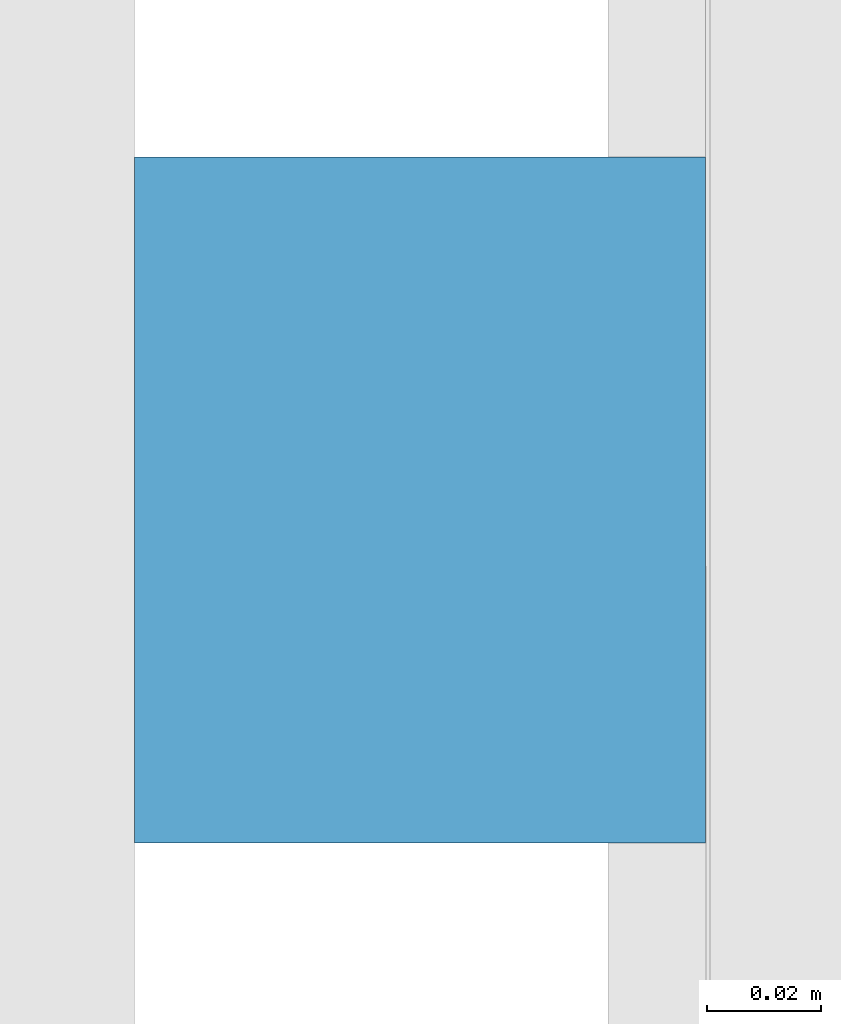
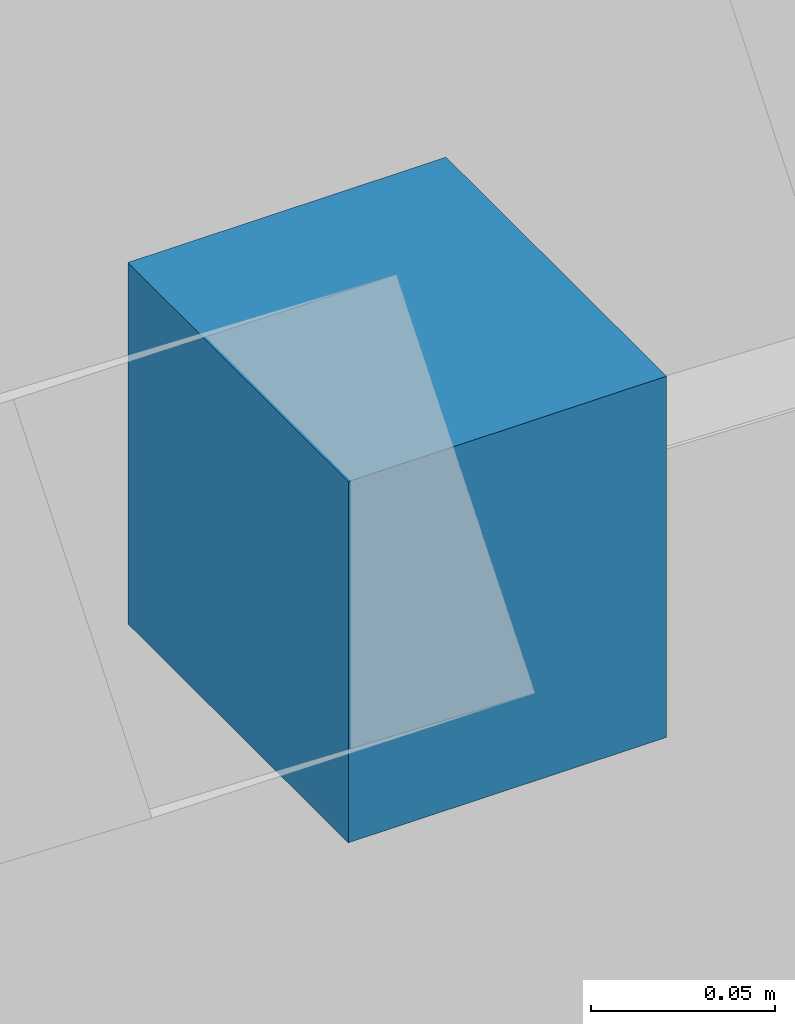
# One storey, part 24 of 27: 1 discrete accessory.
"""IFC4 building model written with IfcOpenShell, lengths in metres."""

import ifcopenshell
import ifcopenshell.guid

model = None  # the IFC model being written
_history = None  # IfcOwnerHistory: only IFC2X3 demands one
_inside = {}  # id of a spatial element -> (the spatial element, [elements in it])
_under = {}  # id of a project, library or spatial element -> (it, [spatial elements below it])
_declared = {}  # id of a project -> (the project, [libraries it declares])
_typed = {}  # id of a type object -> (the type object, [elements of that type])
_made_of = {}  # id of a material, layer set ... -> (it, [elements and type objects made of it])


def new_model(schema):
    """Start an empty IFC model of exactly this schema.

    Asked for "IFC4X3", IfcOpenShell would pick the latest addendum, in which some entities
    have other attributes; the version numbers below select the first issue.
    IFC2X3 requires an IfcOwnerHistory on every rooted entity: one is made here for all.
    """
    global model, _history
    if schema == "IFC4X3":
        model = ifcopenshell.file(schema_version=(4, 3, 0, 0))
    else:
        model = ifcopenshell.file(schema=schema)
    _inside.clear()
    _under.clear()
    _declared.clear()
    _typed.clear()
    _made_of.clear()
    _history = None
    if model.schema == "IFC2X3":
        org = make("IfcOrganization", Name="unknown")
        user = make(
            "IfcPersonAndOrganization",
            ThePerson=make("IfcPerson", FamilyName="unknown"),
            TheOrganization=org,
        )
        app = make(
            "IfcApplication",
            ApplicationDeveloper=org,
            Version="unknown",
            ApplicationFullName="unknown",
            ApplicationIdentifier="unknown",
        )
        _history = make(
            "IfcOwnerHistory",
            OwningUser=user,
            OwningApplication=app,
            ChangeAction="ADDED",
            CreationDate=0,
        )
    return model


def make(cls, **values):
    """One entity of the class cls with the attributes given. An attribute that is None is left unset."""
    return model.create_entity(
        cls, **{name: value for name, value in values.items() if value is not None}
    )


def rooted(cls, **values):
    """An entity with a GlobalId (a new one), such as an element, a storey or a relation."""
    return make(cls, GlobalId=ifcopenshell.guid.new(), OwnerHistory=_history, **values)


def si_unit(unit_type, name, prefix=None):
    """IfcSIUnit, for example si_unit("LENGTHUNIT", "METRE", prefix="MILLI")."""
    return make("IfcSIUnit", UnitType=unit_type, Prefix=prefix, Name=name)


def assignment(units):
    """IfcUnitAssignment: the units of a project."""
    return None if units is None else make("IfcUnitAssignment", Units=units)


def point(xyz):
    """IfcCartesianPoint."""
    return None if xyz is None else make("IfcCartesianPoint", Coordinates=xyz)


def direction(xyz):
    """IfcDirection."""
    return None if xyz is None else make("IfcDirection", DirectionRatios=xyz)


def frame(location, z_axis=None, x_axis=None):
    """IfcAxis2Placement3D, a coordinate frame: its origin and axes. An axis left out is left unset."""
    return make(
        "IfcAxis2Placement3D",
        Location=point(location),
        Axis=direction(z_axis),
        RefDirection=direction(x_axis),
    )


def frame_2d(location, x_axis=None):
    """IfcAxis2Placement2D, a coordinate frame in the plane: its origin and x axis."""
    return make(
        "IfcAxis2Placement2D", Location=point(location), RefDirection=direction(x_axis)
    )


def origin():
    """The frame at (0, 0, 0) with its axes left unset."""
    return frame((0.0, 0.0, 0.0))


def origin_2d():
    """The frame at (0, 0) in the plane with its x axis left unset."""
    return frame_2d((0.0, 0.0))


def place(relative_to, where):
    """IfcLocalPlacement: puts the frame where relative to a parent placement (None: the world)."""
    return make(
        "IfcLocalPlacement", PlacementRelTo=relative_to, RelativePlacement=where
    )


def context(
    kind, dimensions, precision=None, world=None, true_north=None, identifier=None
):
    """IfcGeometricRepresentationContext, for example the 3D "Model" context."""
    return make(
        "IfcGeometricRepresentationContext",
        ContextIdentifier=identifier,
        ContextType=kind,
        CoordinateSpaceDimension=dimensions,
        Precision=precision,
        WorldCoordinateSystem=world,
        TrueNorth=true_north,
    )


def subcontext(parent, identifier, kind, view, scale=None):
    """IfcGeometricRepresentationSubContext, for example "Body" below "Model"."""
    return make(
        "IfcGeometricRepresentationSubContext",
        ContextIdentifier=identifier,
        ContextType=kind,
        ParentContext=parent,
        TargetScale=scale,
        TargetView=view,
    )


def project(units=None, contexts=None):
    """IfcProject with its units and contexts."""
    return rooted(
        "IfcProject",
        Name="project",
        RepresentationContexts=contexts,
        UnitsInContext=assignment(units),
    )


def spatial(cls, under=None, at=None, **own):
    """A site, building, storey or space (cls), placed at a placement, below another one or the project."""
    s = rooted(cls, ObjectPlacement=at, **own)
    if under is not None:
        _under.setdefault(under.id(), (under, []))[1].append(s)
    return s


def profile(cls, at=None, kind="AREA", **sizes):
    """A parametric profile (cls). Its sizes go by their IFC names, for example OverallWidth=200.0."""
    return make(cls, ProfileType=kind, Position=at, **sizes)


def rectangle(**sizes):
    """IfcRectangleProfileDef."""
    return profile("IfcRectangleProfileDef", **sizes)


def extrude(swept, where, along, depth):
    """IfcExtrudedAreaSolid: the profile swept, set in the frame where, extruded along a direction by depth."""
    return make(
        "IfcExtrudedAreaSolid",
        SweptArea=swept,
        Position=where,
        ExtrudedDirection=direction(along),
        Depth=depth,
    )


def shape(context_of_items, identifier, shape_type, items):
    """IfcShapeRepresentation: the items that make up one representation, for example the "Body"."""
    return make(
        "IfcShapeRepresentation",
        ContextOfItems=context_of_items,
        RepresentationIdentifier=identifier,
        RepresentationType=shape_type,
        Items=items,
    )


def material(Name=None, Category=None):
    """IfcMaterial."""
    return make("IfcMaterial", Name=Name, Category=Category)


def made_of(thing, what):
    """Note that an element or type object is made of a material, layer set ...; save() writes the relation."""
    if what is not None:
        _made_of.setdefault(what.id(), (what, []))[1].append(thing)
    return thing


def type_object(cls, material=None, **own):
    """A type object (cls), such as IfcWallType, which elements share."""
    return made_of(rooted(cls, **own), material)


def element(
    cls,
    number,
    at=None,
    inside=None,
    cuts=None,
    type_object=None,
    material=None,
    context=None,
    identifier="Body",
    shape_type=None,
    held_by="IfcProductDefinitionShape",
    body=None,
    shapes=None,
    **own,
):
    """One element of the class cls, such as IfcWall. Its Tag is "e" and its number.

    at: its placement. inside: the storey or other place that contains it. cuts: it is an
    opening in that element (IfcRelVoidsElement). A single representation is given by context,
    identifier, shape_type and body (its items); several are given by shapes. held_by: the class
    of the entity that holds the representations. save() writes the other relations.
    """
    e = rooted(cls, Tag="e%d" % number, ObjectPlacement=at, **own)
    if body is not None:
        shapes = [shape(context, identifier, shape_type, body)]
    if shapes is not None:
        e.Representation = make(held_by, Representations=shapes)
    if inside is not None:
        _inside.setdefault(inside.id(), (inside, []))[1].append(e)
    if cuts is not None:
        rooted(
            "IfcRelVoidsElement", RelatingBuildingElement=cuts, RelatedOpeningElement=e
        )
    if type_object is not None:
        _typed.setdefault(type_object.id(), (type_object, []))[1].append(e)
    return made_of(e, material)


def aggregate(whole, parts):
    """IfcRelAggregates: a whole, such as a stair, and the parts it consists of."""
    return rooted("IfcRelAggregates", RelatingObject=whole, RelatedObjects=parts)


def save(model, path):
    """Write the relations noted so far, then the file.

    IfcRelAggregates (storeys below a building ...), IfcRelContainedInSpatialStructure (elements
    in a storey), IfcRelDefinesByType, IfcRelAssociatesMaterial and IfcRelDeclares: one each for
    every whole, place, type object, material and project.
    """
    for whole, parts in _under.values():
        aggregate(whole, parts)
    for where, things in _inside.values():
        rooted(
            "IfcRelContainedInSpatialStructure",
            RelatedElements=things,
            RelatingStructure=where,
        )
    for kind, things in _typed.values():
        rooted("IfcRelDefinesByType", RelatedObjects=things, RelatingType=kind)
    for what, things in _made_of.values():
        rooted("IfcRelAssociatesMaterial", RelatedObjects=things, RelatingMaterial=what)
    for by, libraries in _declared.values():
        rooted("IfcRelDeclares", RelatingContext=by, RelatedDefinitions=libraries)
    model.write(path)


model = new_model("IFC4")

# Units and contexts
model_context = context("Model", 3, precision=1e-05, world=origin(), true_north=direction((0.0, 1.0)))
body_context = subcontext(model_context, "Body", "Model", "MODEL_VIEW")
ifc_project = project(units=[si_unit("LENGTHUNIT", "METRE"), si_unit("AREAUNIT", "SQUARE_METRE"), si_unit("VOLUMEUNIT", "CUBIC_METRE"), si_unit("PLANEANGLEUNIT", "RADIAN"), si_unit("MASSUNIT", "GRAM", prefix="KILO")], contexts=[model_context])

# Site, building, storey
site_placement = place(None, origin())
site = spatial("IfcSite", under=ifc_project, at=site_placement, CompositionType="ELEMENT")
building_placement = place(site_placement, origin())
building = spatial("IfcBuilding", under=site, at=building_placement, Name="Crosswind Convention Tower", CompositionType="ELEMENT")
storey_placement = place(building_placement, frame((0.0, 0.0, 86.800048828125)))
storey = spatial("IfcBuildingStorey", under=building, at=storey_placement, Name="L16", CompositionType="ELEMENT", Elevation=86.800048828125)

# Discrete accessory
ifc_material = material(Name="Stainless steel", Category="steel")
discrete_accessory_type = type_object("IfcDiscreteAccessoryType", Name="BAGUETTE BRACKET BK2", PredefinedType="BRACKET", material=ifc_material)
discrete_accessory_placement = place(storey_placement, frame((88.092041015625, 110.333740234375, 1.477294921875), z_axis=(0.0, 0.0, 1.0), x_axis=(0.0, -1.0, 0.0)))
element("IfcDiscreteAccessory", 1, at=discrete_accessory_placement, inside=storey, type_object=discrete_accessory_type, Name="BK2 baguette bracket", PredefinedType="BRACKET", context=body_context, shape_type="SweptSolid", body=[
    extrude(rectangle(XDim=0.1201171875, YDim=0.10009765625, at=origin_2d()), origin(), (0.0, 0.0, 1.0), 0.1201171875),
])

save(model, "model.ifc")
